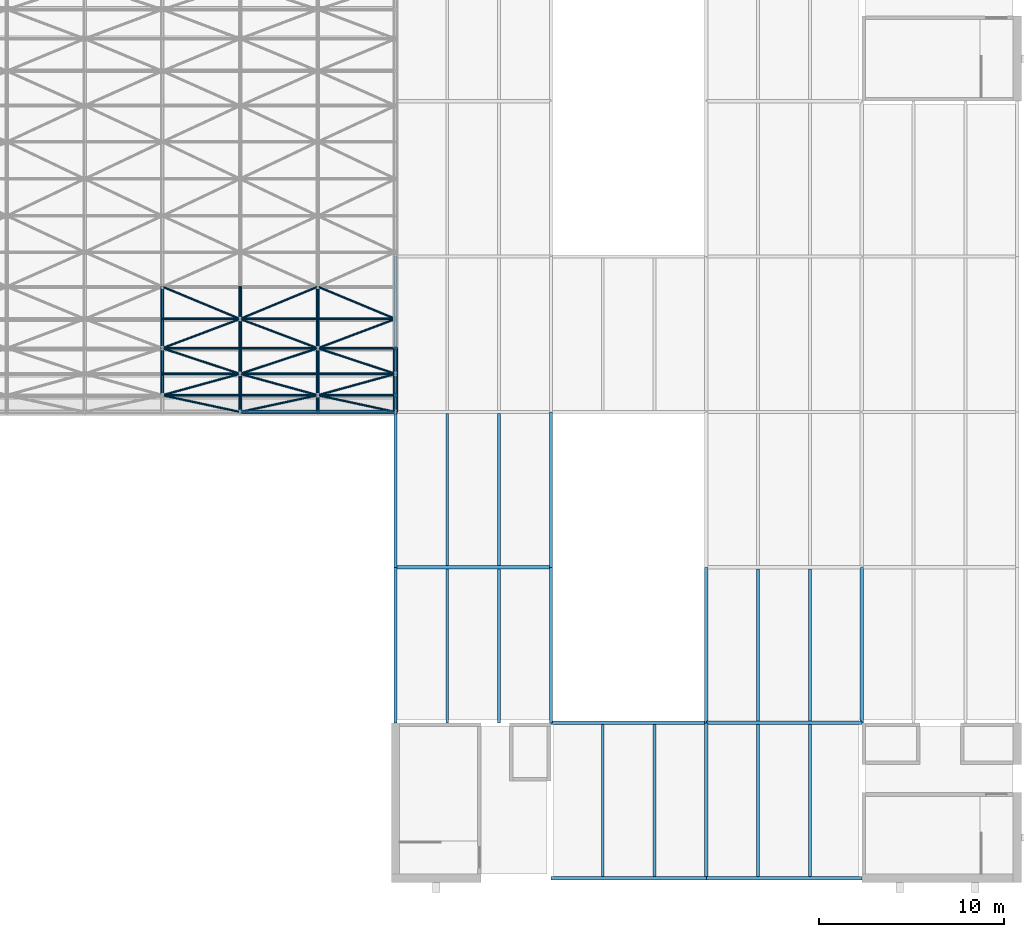
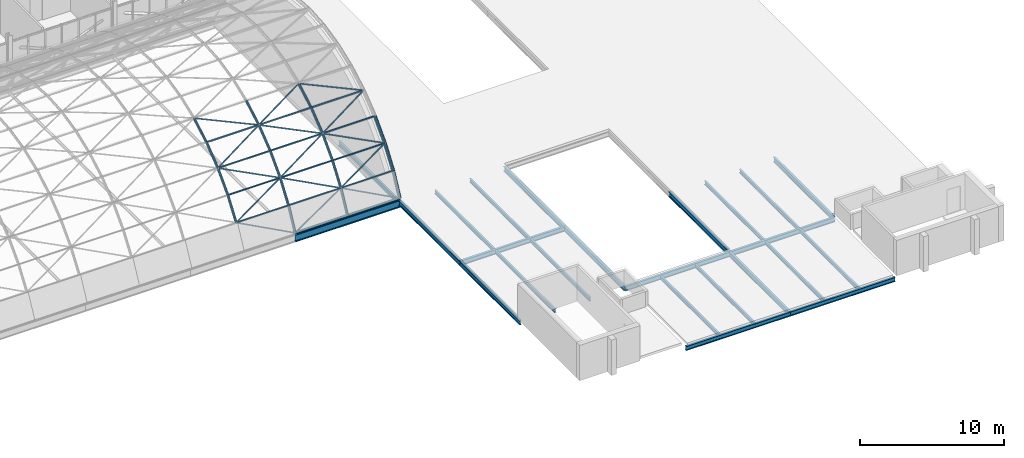
# One storey, part 50 of 121: 46 members, 24 beams.
"""IFC4 building model written with IfcOpenShell, lengths in metres."""

from ifc_helpers import new_model, si_unit, direction, frame, origin, origin_2d, place, context, subcontext, project, spatial, hollow_circle, i_section, extrude, material, material_profile, profile_set, type_object, element, save


model = new_model("IFC4")

# Units and contexts
model_context = context("Model", 3, precision=1e-05, world=origin(), true_north=direction((0.0, 1.0)))
body_context = subcontext(model_context, "Body", "Model", "MODEL_VIEW")
ifc_project = project(units=[si_unit("LENGTHUNIT", "METRE"), si_unit("AREAUNIT", "SQUARE_METRE"), si_unit("VOLUMEUNIT", "CUBIC_METRE"), si_unit("PLANEANGLEUNIT", "RADIAN"), si_unit("MASSUNIT", "GRAM", prefix="KILO")], contexts=[model_context])

# Site, building, storey
site_placement = place(None, origin())
site = spatial("IfcSite", under=ifc_project, at=site_placement, CompositionType="ELEMENT")
building_placement = place(site_placement, origin())
building = spatial("IfcBuilding", under=site, at=building_placement, Name="Ardhachandra Cancer Care Centre", CompositionType="ELEMENT")
storey_placement = place(building_placement, frame((0.0, 0.0, 9.0)))
storey = spatial("IfcBuildingStorey", under=building, at=storey_placement, Name="L02", CompositionType="ELEMENT", Elevation=9.0)

# Beams
ifc_material_1 = material(Name="Steel E350 (IS 2062)", Category="steel")
ifc_material_profile_1 = material_profile(ifc_material_1, i_section(OverallWidth=0.152099609375, OverallDepth=0.303955078125, WebThickness=0.008056640625, FlangeThickness=0.0126953125, FilletRadius=0.014892578125, at=origin_2d()), Name="NPB 300x150x49.32")
ifc_profile_set_1 = profile_set([ifc_material_profile_1], Name="Steel E350 (IS 2062)")
beam_type_1 = type_object("IfcBeamType", Name="Beam NPB 300x150x49.32", PredefinedType="BEAM", material=ifc_profile_set_1)
beam_1_placement = place(storey_placement, frame((114.39990234375, 37.800048828125, -0.35205078125), z_axis=(0.0, 1.0, 0.0), x_axis=(-1.0, 0.0, 0.0)))
element("IfcBeam", 1, at=beam_1_placement, inside=storey, type_object=beam_type_1, Name="Secondary D13-E13@2800", PredefinedType="BEAM", context=body_context, shape_type="SweptSolid", body=[
    extrude(i_section(OverallWidth=0.152099609375, OverallDepth=0.303955078125, WebThickness=0.008056640625, FlangeThickness=0.0126953125, FilletRadius=0.014892578125, at=origin_2d()), origin(), (0.0, 0.0, 1.0), 8.31005859375),
])
beam_2_placement = place(storey_placement, frame((114.39990234375, 46.2900390625, -0.35205078125), z_axis=(0.0, 1.0, 0.0), x_axis=(-1.0, 0.0, 0.0)))
element("IfcBeam", 2, at=beam_2_placement, inside=storey, type_object=beam_type_1, Name="Secondary E13-F13@2800", PredefinedType="BEAM", context=body_context, shape_type="SweptSolid", body=[
    extrude(i_section(OverallWidth=0.152099609375, OverallDepth=0.303955078125, WebThickness=0.008056640625, FlangeThickness=0.0126953125, FilletRadius=0.014892578125, at=origin_2d()), origin(), (0.0, 0.0, 1.0), 8.219970703125),
])
beam_3_placement = place(storey_placement, frame((117.199951171875, 37.800048828125, -0.35205078125), z_axis=(0.0, 1.0, 0.0), x_axis=(-1.0, 0.0, 0.0)))
element("IfcBeam", 3, at=beam_3_placement, inside=storey, type_object=beam_type_1, Name="Secondary D13-E13@5600", PredefinedType="BEAM", context=body_context, shape_type="SweptSolid", body=[
    extrude(i_section(OverallWidth=0.152099609375, OverallDepth=0.303955078125, WebThickness=0.008056640625, FlangeThickness=0.0126953125, FilletRadius=0.014892578125, at=origin_2d()), origin(), (0.0, 0.0, 1.0), 8.31005859375),
])
beam_4_placement = place(storey_placement, frame((117.199951171875, 46.2900390625, -0.35205078125), z_axis=(0.0, 1.0, 0.0), x_axis=(-1.0, 0.0, 0.0)))
element("IfcBeam", 4, at=beam_4_placement, inside=storey, type_object=beam_type_1, Name="Secondary E13-F13@5600", PredefinedType="BEAM", context=body_context, shape_type="SweptSolid", body=[
    extrude(i_section(OverallWidth=0.152099609375, OverallDepth=0.303955078125, WebThickness=0.008056640625, FlangeThickness=0.0126953125, FilletRadius=0.014892578125, at=origin_2d()), origin(), (0.0, 0.0, 1.0), 8.219970703125),
])
for number, where, z_axis, x_axis, name in (
    (5, (122.800048828125, 29.486083984375, -0.35205078125), (0.0, 1.0, 0.0), (-1.0, 0.0, 0.0), "Secondary C14-D14@2800"),
    (6, (125.60009765625, 29.486083984375, -0.35205078125), (0.0, 1.0, 0.0), (-1.0, 0.0, 0.0), "Secondary C14-D14@5600"),
    (7, (131.199951171875, 29.486083984375, -0.35205078125), (0.0, 1.0, 0.0), (-1.0, 0.0, 0.0), "Secondary C15-D15@2800"),
):
    element("IfcBeam", number, at=place(storey_placement, frame(where, z_axis=z_axis, x_axis=x_axis)), inside=storey, type_object=beam_type_1, Name=name, PredefinedType="BEAM", context=body_context, shape_type="SweptSolid", body=[
        extrude(i_section(OverallWidth=0.152099609375, OverallDepth=0.303955078125, WebThickness=0.008056640625, FlangeThickness=0.0126953125, FilletRadius=0.014892578125, at=origin_2d()), origin(), (0.0, 0.0, 1.0), 8.223876953125),
    ])
beam_5_placement = place(storey_placement, frame((131.199951171875, 37.889892578125, -0.35205078125), z_axis=(0.0, 1.0, 0.0), x_axis=(-1.0, 0.0, 0.0)))
element("IfcBeam", 8, at=beam_5_placement, inside=storey, type_object=beam_type_1, Name="Secondary D15-E15@2800", PredefinedType="BEAM", context=body_context, shape_type="SweptSolid", body=[
    extrude(i_section(OverallWidth=0.152099609375, OverallDepth=0.303955078125, WebThickness=0.008056640625, FlangeThickness=0.0126953125, FilletRadius=0.014892578125, at=origin_2d()), origin(), (0.0, 0.0, 1.0), 8.22021484375),
])
beam_6_placement = place(storey_placement, frame((134.0, 29.486083984375, -0.35205078125), z_axis=(0.0, 1.0, 0.0), x_axis=(-1.0, 0.0, 0.0)))
element("IfcBeam", 9, at=beam_6_placement, inside=storey, type_object=beam_type_1, Name="Secondary C15-D15@5600", PredefinedType="BEAM", context=body_context, shape_type="SweptSolid", body=[
    extrude(i_section(OverallWidth=0.152099609375, OverallDepth=0.303955078125, WebThickness=0.008056640625, FlangeThickness=0.0126953125, FilletRadius=0.014892578125, at=origin_2d()), origin(), (0.0, 0.0, 1.0), 8.223876953125),
])
beam_7_placement = place(storey_placement, frame((134.0, 37.889892578125, -0.35205078125), z_axis=(0.0, 1.0, 0.0), x_axis=(-1.0, 0.0, 0.0)))
element("IfcBeam", 10, at=beam_7_placement, inside=storey, type_object=beam_type_1, Name="Secondary D15-E15@5600", PredefinedType="BEAM", context=body_context, shape_type="SweptSolid", body=[
    extrude(i_section(OverallWidth=0.152099609375, OverallDepth=0.303955078125, WebThickness=0.008056640625, FlangeThickness=0.0126953125, FilletRadius=0.014892578125, at=origin_2d()), origin(), (0.0, 0.0, 1.0), 8.22021484375),
])
ifc_material_2 = material(Name="Steel E350 (IS 2062)", Category="steel")
ifc_material_profile_2 = material_profile(ifc_material_2, i_section(OverallWidth=0.172119140625, OverallDepth=0.364013671875, WebThickness=0.00927734375, FlangeThickness=0.0146484375, FilletRadius=0.01806640625, at=origin_2d()), Name="NPB 350x170x66.04")
ifc_profile_set_2 = profile_set([ifc_material_profile_2], Name="Steel E350 (IS 2062)")
beam_type_2 = type_object("IfcBeamType", Name="Beam NPB 350x170x66.04", PredefinedType="BEAM", material=ifc_profile_set_2)
beam_8_placement = place(storey_placement, frame((120.0, 29.39990234375, -0.382080078125), z_axis=(1.0, 0.0, 0.0), x_axis=(0.0, 1.0, 0.0)))
element("IfcBeam", 11, at=beam_8_placement, inside=storey, type_object=beam_type_2, Name="Edge girder C14-C15", PredefinedType="BEAM", context=body_context, shape_type="SweptSolid", body=[
    extrude(i_section(OverallWidth=0.172119140625, OverallDepth=0.364013671875, WebThickness=0.00927734375, FlangeThickness=0.0146484375, FilletRadius=0.01806640625, at=origin_2d()), origin(), (0.0, 0.0, 1.0), 8.39990234375),
])
beam_9_placement = place(storey_placement, frame((128.39990234375, 29.39990234375, -0.382080078125), z_axis=(1.0, 0.0, 0.0), x_axis=(0.0, 1.0, 0.0)))
element("IfcBeam", 12, at=beam_9_placement, inside=storey, type_object=beam_type_2, Name="Edge girder C15-C16", PredefinedType="BEAM", context=body_context, shape_type="SweptSolid", body=[
    extrude(i_section(OverallWidth=0.172119140625, OverallDepth=0.364013671875, WebThickness=0.00927734375, FlangeThickness=0.0146484375, FilletRadius=0.01806640625, at=origin_2d()), origin(), (0.0, 0.0, 1.0), 8.400146484375),
])
beam_10_placement = place(storey_placement, frame((111.60009765625, 37.800048828125, -0.382080078125), z_axis=(0.0, 1.0, 0.0), x_axis=(-1.0, 0.0, 0.0)))
element("IfcBeam", 13, at=beam_10_placement, inside=storey, type_object=beam_type_2, Name="Edge girder D13-E13", PredefinedType="BEAM", context=body_context, shape_type="SweptSolid", body=[
    extrude(i_section(OverallWidth=0.172119140625, OverallDepth=0.364013671875, WebThickness=0.00927734375, FlangeThickness=0.0146484375, FilletRadius=0.01806640625, at=origin_2d()), origin(), (0.0, 0.0, 1.0), 8.39990234375),
])
beam_11_placement = place(storey_placement, frame((111.60009765625, 46.199951171875, -0.382080078125), z_axis=(0.0, 1.0, 0.0), x_axis=(-1.0, 0.0, 0.0)))
element("IfcBeam", 14, at=beam_11_placement, inside=storey, type_object=beam_type_2, Name="Edge girder E13-F13", PredefinedType="BEAM", context=body_context, shape_type="SweptSolid", body=[
    extrude(i_section(OverallWidth=0.172119140625, OverallDepth=0.364013671875, WebThickness=0.00927734375, FlangeThickness=0.0146484375, FilletRadius=0.01806640625, at=origin_2d()), origin(), (0.0, 0.0, 1.0), 8.400146484375),
])
beam_12_placement = place(storey_placement, frame((111.60009765625, 54.60009765625, -0.382080078125), z_axis=(0.0, 1.0, 0.0), x_axis=(-1.0, 0.0, 0.0)))
element("IfcBeam", 15, at=beam_12_placement, inside=storey, type_object=beam_type_2, Name="Edge girder F13-G13", PredefinedType="BEAM", context=body_context, shape_type="SweptSolid", body=[
    extrude(i_section(OverallWidth=0.172119140625, OverallDepth=0.364013671875, WebThickness=0.00927734375, FlangeThickness=0.0146484375, FilletRadius=0.01806640625, at=origin_2d()), origin(), (0.0, 0.0, 1.0), 8.39990234375),
])
ifc_material_3 = material(Name="Steel E350 (IS 2062)", Category="steel")
ifc_material_profile_3 = material_profile(ifc_material_3, i_section(OverallWidth=0.179931640625, OverallDepth=0.39990234375, WebThickness=0.008544921875, FlangeThickness=0.013427734375, FilletRadius=0.02099609375, at=origin_2d()), Name="NPB 400x180x66.30")
ifc_profile_set_3 = profile_set([ifc_material_profile_3], Name="Steel E350 (IS 2062)")
beam_type_3 = type_object("IfcBeamType", Name="Beam NPB 400x180x66.30", PredefinedType="BEAM", material=ifc_profile_set_3)
beam_13_placement = place(storey_placement, frame((120.0, 37.800048828125, -0.39990234375), z_axis=(1.0, 0.0, 0.0), x_axis=(0.0, 1.0, 0.0)))
element("IfcBeam", 16, at=beam_13_placement, inside=storey, type_object=beam_type_3, Name="Girder D14-D15", PredefinedType="BEAM", context=body_context, shape_type="SweptSolid", body=[
    extrude(i_section(OverallWidth=0.179931640625, OverallDepth=0.39990234375, WebThickness=0.008544921875, FlangeThickness=0.013427734375, FilletRadius=0.02099609375, at=origin_2d()), origin(), (0.0, 0.0, 1.0), 8.39990234375),
])
beam_14_placement = place(storey_placement, frame((128.39990234375, 37.800048828125, -0.39990234375), z_axis=(1.0, 0.0, 0.0), x_axis=(0.0, 1.0, 0.0)))
element("IfcBeam", 17, at=beam_14_placement, inside=storey, type_object=beam_type_3, Name="Girder D15-D16", PredefinedType="BEAM", context=body_context, shape_type="SweptSolid", body=[
    extrude(i_section(OverallWidth=0.179931640625, OverallDepth=0.39990234375, WebThickness=0.008544921875, FlangeThickness=0.013427734375, FilletRadius=0.02099609375, at=origin_2d()), origin(), (0.0, 0.0, 1.0), 8.400146484375),
])
for number, where, z_axis, x_axis, name in (
    (18, (111.60009765625, 46.199951171875, -0.39990234375), (1.0, 0.0, 0.0), (0.0, 1.0, 0.0), "Girder E13-E14"),
    (19, (120.0, 37.800048828125, -0.39990234375), (0.0, 1.0, 0.0), (-1.0, 0.0, 0.0), "Girder D14-E14"),
):
    element("IfcBeam", number, at=place(storey_placement, frame(where, z_axis=z_axis, x_axis=x_axis)), inside=storey, type_object=beam_type_3, Name=name, PredefinedType="BEAM", context=body_context, shape_type="SweptSolid", body=[
        extrude(i_section(OverallWidth=0.179931640625, OverallDepth=0.39990234375, WebThickness=0.008544921875, FlangeThickness=0.013427734375, FilletRadius=0.02099609375, at=origin_2d()), origin(), (0.0, 0.0, 1.0), 8.39990234375),
    ])
for number, where, z_axis, x_axis, name in (
    (20, (120.0, 46.199951171875, -0.39990234375), (0.0, 1.0, 0.0), (-1.0, 0.0, 0.0), "Girder E14-F14"),
    (21, (128.39990234375, 29.39990234375, -0.39990234375), (0.0, 1.0, 0.0), (-1.0, 0.0, 0.0), "Girder C15-D15"),
):
    element("IfcBeam", number, at=place(storey_placement, frame(where, z_axis=z_axis, x_axis=x_axis)), inside=storey, type_object=beam_type_3, Name=name, PredefinedType="BEAM", context=body_context, shape_type="SweptSolid", body=[
        extrude(i_section(OverallWidth=0.179931640625, OverallDepth=0.39990234375, WebThickness=0.008544921875, FlangeThickness=0.013427734375, FilletRadius=0.02099609375, at=origin_2d()), origin(), (0.0, 0.0, 1.0), 8.400146484375),
    ])
for number, where, z_axis, x_axis, name in (
    (22, (128.39990234375, 37.800048828125, -0.39990234375), (0.0, 1.0, 0.0), (-1.0, 0.0, 0.0), "Girder D15-E15"),
    (23, (136.800048828125, 37.800048828125, -0.39990234375), (0.0, 1.0, 0.0), (-1.0, 0.0, 0.0), "Girder D16-E16"),
):
    element("IfcBeam", number, at=place(storey_placement, frame(where, z_axis=z_axis, x_axis=x_axis)), inside=storey, type_object=beam_type_3, Name=name, PredefinedType="BEAM", context=body_context, shape_type="SweptSolid", body=[
        extrude(i_section(OverallWidth=0.179931640625, OverallDepth=0.39990234375, WebThickness=0.008544921875, FlangeThickness=0.013427734375, FilletRadius=0.02099609375, at=origin_2d()), origin(), (0.0, 0.0, 1.0), 8.39990234375),
    ])
ifc_material_4 = material(Name="Steel E350 (IS 2062)", Category="steel")
ifc_material_profile_4 = material_profile(ifc_material_4, i_section(OverallWidth=0.22412109375, OverallDepth=0.610107421875, WebThickness=0.014892578125, FlangeThickness=0.02392578125, FilletRadius=0.02392578125, at=origin_2d()), Name="NPB 600x220x154.46")
ifc_profile_set_4 = profile_set([ifc_material_profile_4], Name="Steel E350 (IS 2062)")
beam_type_4 = type_object("IfcBeamType", Name="Beam NPB 600x220x154.46", PredefinedType="BEAM", material=ifc_profile_set_4)
beam_15_placement = place(storey_placement, frame((103.199951171875, 54.60009765625, -0.41455078125), z_axis=(1.0, 0.0, 0.0), x_axis=(0.0, 1.0, 0.0)))
element("IfcBeam", 24, at=beam_15_placement, inside=storey, type_object=beam_type_4, Name="Shell edge beam F12-F13", PredefinedType="BEAM", context=body_context, shape_type="SweptSolid", body=[
    extrude(i_section(OverallWidth=0.22412109375, OverallDepth=0.610107421875, WebThickness=0.014892578125, FlangeThickness=0.02392578125, FilletRadius=0.02392578125, at=origin_2d()), origin(), (0.0, 0.0, 1.0), 8.400146484375),
])

# Members
ifc_material_5 = material(Name="Steel E350 (IS 2062)", Category="steel")
ifc_material_profile_5 = material_profile(ifc_material_5, hollow_circle(Radius=0.05712890625, WallThickness=0.0048828125, at=origin_2d()), Name="CHS 114.3x5.0")
ifc_profile_set_5 = profile_set([ifc_material_profile_5], Name="Steel E350 (IS 2062)")
member_type_1 = type_object("IfcMemberType", Name="Hall shell Diagonal CHS 114.3x5.0", PredefinedType="BRACE", material=ifc_profile_set_5)
member_1_placement = place(storey_placement, frame((103.199951171875, 54.60009765625, 0.0), z_axis=(-0.902472740293, 0.1944174839, 0.384375851196), x_axis=(-0.210596178979, -0.977573142736, 0.0)))
element("IfcMember", 25, at=member_1_placement, inside=storey, type_object=member_type_1, Name="Hall shell diagonal 14-00", PredefinedType="BRACE", context=body_context, shape_type="SweptSolid", body=[
    extrude(hollow_circle(Radius=0.05712890625, WallThickness=0.0048828125, at=origin_2d()), origin(), (0.0, 0.0, 1.0), 4.65380859375),
])
member_2_placement = place(storey_placement, frame((99.0, 55.5048828125, 1.788818359375), z_axis=(0.902449554885, 0.24865493752, 0.351789031858), x_axis=(-0.265634476177, 0.964073817229, 0.0)))
element("IfcMember", 26, at=member_2_placement, inside=storey, type_object=member_type_1, Name="Hall shell diagonal 13-01", PredefinedType="BRACE", context=body_context, shape_type="SweptSolid", body=[
    extrude(hollow_circle(Radius=0.05712890625, WallThickness=0.0048828125, at=origin_2d()), origin(), (0.0, 0.0, 1.0), 4.654052734375),
])
for number, where, z_axis, x_axis, name in (
    (27, (103.199951171875, 56.662109375, 3.426025390625), (-0.902471180552, 0.297448793451, 0.311560561605), (-0.313029427027, -0.949743427361, 0.0), "Hall shell diagonal 14-02"),
    (28, (99.0, 58.04638671875, 4.8759765625), (0.902456632882, 0.339935998435, 0.264604502485), (-0.35250015529, 0.935811754853, 0.0), "Hall shell diagonal 13-03"),
    (29, (103.199951171875, 59.62841796875, 6.107421875), (-0.902467499795, 0.374983298758, 0.211990418338), (-0.383704226466, -0.923456044754, 0.0), "Hall shell diagonal 14-04"),
    (30, (103.199951171875, 54.60009765625, 0.0), (0.902472740293, 0.1944174839, 0.384375851196), (-0.210596178979, 0.977573142736, 0.0), "Hall shell diagonal 14-00"),
):
    element("IfcMember", number, at=place(storey_placement, frame(where, z_axis=z_axis, x_axis=x_axis)), inside=storey, type_object=member_type_1, Name=name, PredefinedType="BRACE", context=body_context, shape_type="SweptSolid", body=[
        extrude(hollow_circle(Radius=0.05712890625, WallThickness=0.0048828125, at=origin_2d()), origin(), (0.0, 0.0, 1.0), 4.65380859375),
    ])
member_3_placement = place(storey_placement, frame((107.39990234375, 55.5048828125, 1.788818359375), z_axis=(-0.902449554885, 0.24865493752, 0.351789031858), x_axis=(-0.265634476177, -0.964073817229, 0.0)))
element("IfcMember", 31, at=member_3_placement, inside=storey, type_object=member_type_1, Name="Hall shell diagonal 15-01", PredefinedType="BRACE", context=body_context, shape_type="SweptSolid", body=[
    extrude(hollow_circle(Radius=0.05712890625, WallThickness=0.0048828125, at=origin_2d()), origin(), (0.0, 0.0, 1.0), 4.654052734375),
])
for number, where, z_axis, x_axis, name in (
    (32, (103.199951171875, 56.662109375, 3.426025390625), (0.902471180552, 0.297448793451, 0.311560561605), (-0.313029427027, 0.949743427361, 0.0), "Hall shell diagonal 14-02"),
    (33, (107.39990234375, 58.04638671875, 4.8759765625), (-0.902456632882, 0.339935998435, 0.264604502485), (-0.35250015529, -0.935811754853, 0.0), "Hall shell diagonal 15-03"),
    (34, (103.199951171875, 59.62841796875, 6.107421875), (0.902467499795, 0.374983298758, 0.211990418338), (-0.383704226466, 0.923456044754, 0.0), "Hall shell diagonal 14-04"),
):
    element("IfcMember", number, at=place(storey_placement, frame(where, z_axis=z_axis, x_axis=x_axis)), inside=storey, type_object=member_type_1, Name=name, PredefinedType="BRACE", context=body_context, shape_type="SweptSolid", body=[
        extrude(hollow_circle(Radius=0.05712890625, WallThickness=0.0048828125, at=origin_2d()), origin(), (0.0, 0.0, 1.0), 4.65380859375),
    ])
for number, where, z_axis, x_axis, name in (
    (35, (111.60009765625, 54.60009765625, 0.0), (-0.902482473221, 0.194408279805, 0.384357654109), (-0.21058448072, -0.97757566279, 0.0), "Hall shell diagonal 16-00"),
    (36, (107.39990234375, 55.5048828125, 1.788818359375), (0.902459289758, 0.248643166325, 0.351772378349), (-0.265620125306, 0.964077771257, 0.0), "Hall shell diagonal 15-01"),
    (37, (111.60009765625, 56.662109375, 3.426025390625), (-0.902480913611, 0.297434711705, 0.311545811784), (-0.313013014629, -0.949748836626, 0.0), "Hall shell diagonal 16-02"),
    (38, (107.39990234375, 58.04638671875, 4.8759765625), (0.902466367162, 0.33991990579, 0.26459197605), (-0.352482211607, 0.935818513656, 0.0), "Hall shell diagonal 15-03"),
    (39, (111.60009765625, 59.62841796875, 6.107421875), (-0.902477233163, 0.374965546538, 0.211980382423), (-0.3836852067, -0.923463947407, 0.0), "Hall shell diagonal 16-04"),
):
    element("IfcMember", number, at=place(storey_placement, frame(where, z_axis=z_axis, x_axis=x_axis)), inside=storey, type_object=member_type_1, Name=name, PredefinedType="BRACE", context=body_context, shape_type="SweptSolid", body=[
        extrude(hollow_circle(Radius=0.05712890625, WallThickness=0.0048828125, at=origin_2d()), origin(), (0.0, 0.0, 1.0), 4.654052734375),
    ])
ifc_material_6 = material(Name="Steel E350 (IS 2062)", Category="steel")
ifc_material_profile_6 = material_profile(ifc_material_6, hollow_circle(Radius=0.06982421875, WallThickness=0.0048828125, at=origin_2d()), Name="CHS 139.7x5.0")
ifc_profile_set_6 = profile_set([ifc_material_profile_6], Name="Steel E350 (IS 2062)")
member_type_2 = type_object("IfcMemberType", Name="Hall shell Purlin CHS 139.7x5.0", PredefinedType="PURLIN", material=ifc_profile_set_6)
for number, where, z_axis, x_axis, name in (
    (40, (99.0, 55.5048828125, 1.788818359375), (1.0, 0.0, 0.0), (0.0, 1.0, 0.0), "Hall shell purlin 13-01"),
    (41, (103.199951171875, 55.5048828125, 1.788818359375), (1.0, 0.0, 0.0), (0.0, 1.0, 0.0), "Hall shell purlin 14-01"),
):
    element("IfcMember", number, at=place(storey_placement, frame(where, z_axis=z_axis, x_axis=x_axis)), inside=storey, type_object=member_type_2, Name=name, PredefinedType="PURLIN", context=body_context, shape_type="SweptSolid", body=[
        extrude(hollow_circle(Radius=0.06982421875, WallThickness=0.0048828125, at=origin_2d()), origin(), (0.0, 0.0, 1.0), 4.199951171875),
    ])
member_4_placement = place(storey_placement, frame((107.39990234375, 55.5048828125, 1.788818359375), z_axis=(1.0, 0.0, 0.0), x_axis=(0.0, 1.0, 0.0)))
element("IfcMember", 42, at=member_4_placement, inside=storey, type_object=member_type_2, Name="Hall shell purlin 15-01", PredefinedType="PURLIN", context=body_context, shape_type="SweptSolid", body=[
    extrude(hollow_circle(Radius=0.06982421875, WallThickness=0.0048828125, at=origin_2d()), origin(), (0.0, 0.0, 1.0), 4.2001953125),
])
for number, where, z_axis, x_axis, name in (
    (43, (99.0, 56.662109375, 3.426025390625), (1.0, 0.0, 0.0), (0.0, 1.0, 0.0), "Hall shell purlin 13-02"),
    (44, (103.199951171875, 56.662109375, 3.426025390625), (1.0, 0.0, 0.0), (0.0, 1.0, 0.0), "Hall shell purlin 14-02"),
):
    element("IfcMember", number, at=place(storey_placement, frame(where, z_axis=z_axis, x_axis=x_axis)), inside=storey, type_object=member_type_2, Name=name, PredefinedType="PURLIN", context=body_context, shape_type="SweptSolid", body=[
        extrude(hollow_circle(Radius=0.06982421875, WallThickness=0.0048828125, at=origin_2d()), origin(), (0.0, 0.0, 1.0), 4.199951171875),
    ])
member_5_placement = place(storey_placement, frame((107.39990234375, 56.662109375, 3.426025390625), z_axis=(1.0, 0.0, 0.0), x_axis=(0.0, 1.0, 0.0)))
element("IfcMember", 45, at=member_5_placement, inside=storey, type_object=member_type_2, Name="Hall shell purlin 15-02", PredefinedType="PURLIN", context=body_context, shape_type="SweptSolid", body=[
    extrude(hollow_circle(Radius=0.06982421875, WallThickness=0.0048828125, at=origin_2d()), origin(), (0.0, 0.0, 1.0), 4.2001953125),
])
for number, where, z_axis, x_axis, name in (
    (46, (99.0, 58.04638671875, 4.8759765625), (1.0, 0.0, 0.0), (0.0, 1.0, 0.0), "Hall shell purlin 13-03"),
    (47, (103.199951171875, 58.04638671875, 4.8759765625), (1.0, 0.0, 0.0), (0.0, 1.0, 0.0), "Hall shell purlin 14-03"),
):
    element("IfcMember", number, at=place(storey_placement, frame(where, z_axis=z_axis, x_axis=x_axis)), inside=storey, type_object=member_type_2, Name=name, PredefinedType="PURLIN", context=body_context, shape_type="SweptSolid", body=[
        extrude(hollow_circle(Radius=0.06982421875, WallThickness=0.0048828125, at=origin_2d()), origin(), (0.0, 0.0, 1.0), 4.199951171875),
    ])
member_6_placement = place(storey_placement, frame((107.39990234375, 58.04638671875, 4.8759765625), z_axis=(1.0, 0.0, 0.0), x_axis=(0.0, 1.0, 0.0)))
element("IfcMember", 48, at=member_6_placement, inside=storey, type_object=member_type_2, Name="Hall shell purlin 15-03", PredefinedType="PURLIN", context=body_context, shape_type="SweptSolid", body=[
    extrude(hollow_circle(Radius=0.06982421875, WallThickness=0.0048828125, at=origin_2d()), origin(), (0.0, 0.0, 1.0), 4.2001953125),
])
for number, where, z_axis, x_axis, name in (
    (49, (99.0, 59.62841796875, 6.107421875), (1.0, 0.0, 0.0), (0.0, 1.0, 0.0), "Hall shell purlin 13-04"),
    (50, (103.199951171875, 59.62841796875, 6.107421875), (1.0, 0.0, 0.0), (0.0, 1.0, 0.0), "Hall shell purlin 14-04"),
):
    element("IfcMember", number, at=place(storey_placement, frame(where, z_axis=z_axis, x_axis=x_axis)), inside=storey, type_object=member_type_2, Name=name, PredefinedType="PURLIN", context=body_context, shape_type="SweptSolid", body=[
        extrude(hollow_circle(Radius=0.06982421875, WallThickness=0.0048828125, at=origin_2d()), origin(), (0.0, 0.0, 1.0), 4.199951171875),
    ])
member_7_placement = place(storey_placement, frame((107.39990234375, 59.62841796875, 6.107421875), z_axis=(1.0, 0.0, 0.0), x_axis=(0.0, 1.0, 0.0)))
element("IfcMember", 51, at=member_7_placement, inside=storey, type_object=member_type_2, Name="Hall shell purlin 15-04", PredefinedType="PURLIN", context=body_context, shape_type="SweptSolid", body=[
    extrude(hollow_circle(Radius=0.06982421875, WallThickness=0.0048828125, at=origin_2d()), origin(), (0.0, 0.0, 1.0), 4.2001953125),
])
ifc_material_7 = material(Name="Steel E350 (IS 2062)", Category="steel")
ifc_material_profile_7 = material_profile(ifc_material_7, hollow_circle(Radius=0.109619140625, WallThickness=0.008056640625, at=origin_2d()), Name="CHS 219.1x8.0")
ifc_profile_set_7 = profile_set([ifc_material_profile_7], Name="Steel E350 (IS 2062)")
member_type_3 = type_object("IfcMemberType", Name="Hall shell Purlin CHS 219.1x8.0", PredefinedType="PURLIN", material=ifc_profile_set_7)
member_8_placement = place(storey_placement, frame((103.199951171875, 54.60009765625, 0.0), z_axis=(1.0, 0.0, 0.0), x_axis=(0.0, 1.0, 0.0)))
element("IfcMember", 52, at=member_8_placement, inside=storey, type_object=member_type_3, Name="Hall shell purlin 14-00", PredefinedType="PURLIN", context=body_context, shape_type="SweptSolid", body=[
    extrude(hollow_circle(Radius=0.109619140625, WallThickness=0.008056640625, at=origin_2d()), origin(), (0.0, 0.0, 1.0), 4.199951171875),
])
member_9_placement = place(storey_placement, frame((107.39990234375, 54.60009765625, 0.0), z_axis=(1.0, 0.0, 0.0), x_axis=(0.0, 1.0, 0.0)))
element("IfcMember", 53, at=member_9_placement, inside=storey, type_object=member_type_3, Name="Hall shell purlin 15-00", PredefinedType="PURLIN", context=body_context, shape_type="SweptSolid", body=[
    extrude(hollow_circle(Radius=0.109619140625, WallThickness=0.008056640625, at=origin_2d()), origin(), (0.0, 0.0, 1.0), 4.2001953125),
])
ifc_material_8 = material(Name="Steel E350 (IS 2062)", Category="steel")
ifc_material_profile_8 = material_profile(ifc_material_8, hollow_circle(Radius=0.096923828125, WallThickness=0.008056640625, at=origin_2d()), Name="CHS 193.7x8.0")
ifc_profile_set_8 = profile_set([ifc_material_profile_8], Name="Steel E350 (IS 2062)")
member_type_4 = type_object("IfcMemberType", Name="Hall shell Rib CHS 193.7x8.0", PredefinedType="RAFTER", material=ifc_profile_set_8)
member_10_placement = place(storey_placement, frame((99.0, 55.5048828125, 1.788818359375), z_axis=(0.0, 0.577199418325, 0.816603227697), x_axis=(-1.0, 0.0, 0.0)))
element("IfcMember", 54, at=member_10_placement, inside=storey, type_object=member_type_4, Name="Hall shell rib 13-01", PredefinedType="RAFTER", context=body_context, shape_type="SweptSolid", body=[
    extrude(hollow_circle(Radius=0.096923828125, WallThickness=0.008056640625, at=origin_2d()), origin(), (0.0, 0.0, 1.0), 2.0048828125),
])
member_11_placement = place(storey_placement, frame((99.0, 56.662109375, 3.426025390625), z_axis=(0.0, 0.690536572288, 0.723297478451), x_axis=(-1.0, 0.0, 0.0)))
element("IfcMember", 55, at=member_11_placement, inside=storey, type_object=member_type_4, Name="Hall shell rib 13-02", PredefinedType="RAFTER", context=body_context, shape_type="SweptSolid", body=[
    extrude(hollow_circle(Radius=0.096923828125, WallThickness=0.008056640625, at=origin_2d()), origin(), (0.0, 0.0, 1.0), 2.004638671875),
])
member_12_placement = place(storey_placement, frame((99.0, 58.04638671875, 4.8759765625), z_axis=(0.0, 0.789116098656, 0.614244074324), x_axis=(-1.0, 0.0, 0.0)))
element("IfcMember", 56, at=member_12_placement, inside=storey, type_object=member_type_4, Name="Hall shell rib 13-03", PredefinedType="RAFTER", context=body_context, shape_type="SweptSolid", body=[
    extrude(hollow_circle(Radius=0.096923828125, WallThickness=0.008056640625, at=origin_2d()), origin(), (0.0, 0.0, 1.0), 2.0048828125),
])
for number, where, z_axis, x_axis, name in (
    (57, (99.0, 59.62841796875, 6.107421875), (0.0, 0.870519739515, 0.492133501312), (-1.0, 0.0, 0.0), "Hall shell rib 13-04"),
    (58, (103.199951171875, 54.60009765625, 0.0), (0.0, 0.451349625156, 0.89234719469), (-1.0, 0.0, 0.0), "Hall shell rib 14-00"),
):
    element("IfcMember", number, at=place(storey_placement, frame(where, z_axis=z_axis, x_axis=x_axis)), inside=storey, type_object=member_type_4, Name=name, PredefinedType="RAFTER", context=body_context, shape_type="SweptSolid", body=[
        extrude(hollow_circle(Radius=0.096923828125, WallThickness=0.008056640625, at=origin_2d()), origin(), (0.0, 0.0, 1.0), 2.004638671875),
    ])
member_13_placement = place(storey_placement, frame((103.199951171875, 55.5048828125, 1.788818359375), z_axis=(0.0, 0.577199418325, 0.816603227697), x_axis=(-1.0, 0.0, 0.0)))
element("IfcMember", 59, at=member_13_placement, inside=storey, type_object=member_type_4, Name="Hall shell rib 14-01", PredefinedType="RAFTER", context=body_context, shape_type="SweptSolid", body=[
    extrude(hollow_circle(Radius=0.096923828125, WallThickness=0.008056640625, at=origin_2d()), origin(), (0.0, 0.0, 1.0), 2.0048828125),
])
member_14_placement = place(storey_placement, frame((103.199951171875, 56.662109375, 3.426025390625), z_axis=(0.0, 0.690536572288, 0.723297478451), x_axis=(-1.0, 0.0, 0.0)))
element("IfcMember", 60, at=member_14_placement, inside=storey, type_object=member_type_4, Name="Hall shell rib 14-02", PredefinedType="RAFTER", context=body_context, shape_type="SweptSolid", body=[
    extrude(hollow_circle(Radius=0.096923828125, WallThickness=0.008056640625, at=origin_2d()), origin(), (0.0, 0.0, 1.0), 2.004638671875),
])
member_15_placement = place(storey_placement, frame((103.199951171875, 58.04638671875, 4.8759765625), z_axis=(0.0, 0.789116098656, 0.614244074324), x_axis=(-1.0, 0.0, 0.0)))
element("IfcMember", 61, at=member_15_placement, inside=storey, type_object=member_type_4, Name="Hall shell rib 14-03", PredefinedType="RAFTER", context=body_context, shape_type="SweptSolid", body=[
    extrude(hollow_circle(Radius=0.096923828125, WallThickness=0.008056640625, at=origin_2d()), origin(), (0.0, 0.0, 1.0), 2.0048828125),
])
for number, where, z_axis, x_axis, name in (
    (62, (103.199951171875, 59.62841796875, 6.107421875), (0.0, 0.870519739515, 0.492133501312), (-1.0, 0.0, 0.0), "Hall shell rib 14-04"),
    (63, (107.39990234375, 54.60009765625, 0.0), (0.0, 0.451349625156, 0.89234719469), (-1.0, 0.0, 0.0), "Hall shell rib 15-00"),
):
    element("IfcMember", number, at=place(storey_placement, frame(where, z_axis=z_axis, x_axis=x_axis)), inside=storey, type_object=member_type_4, Name=name, PredefinedType="RAFTER", context=body_context, shape_type="SweptSolid", body=[
        extrude(hollow_circle(Radius=0.096923828125, WallThickness=0.008056640625, at=origin_2d()), origin(), (0.0, 0.0, 1.0), 2.004638671875),
    ])
member_16_placement = place(storey_placement, frame((107.39990234375, 55.5048828125, 1.788818359375), z_axis=(0.0, 0.577199418325, 0.816603227697), x_axis=(-1.0, 0.0, 0.0)))
element("IfcMember", 64, at=member_16_placement, inside=storey, type_object=member_type_4, Name="Hall shell rib 15-01", PredefinedType="RAFTER", context=body_context, shape_type="SweptSolid", body=[
    extrude(hollow_circle(Radius=0.096923828125, WallThickness=0.008056640625, at=origin_2d()), origin(), (0.0, 0.0, 1.0), 2.0048828125),
])
member_17_placement = place(storey_placement, frame((107.39990234375, 56.662109375, 3.426025390625), z_axis=(0.0, 0.690536572288, 0.723297478451), x_axis=(-1.0, 0.0, 0.0)))
element("IfcMember", 65, at=member_17_placement, inside=storey, type_object=member_type_4, Name="Hall shell rib 15-02", PredefinedType="RAFTER", context=body_context, shape_type="SweptSolid", body=[
    extrude(hollow_circle(Radius=0.096923828125, WallThickness=0.008056640625, at=origin_2d()), origin(), (0.0, 0.0, 1.0), 2.004638671875),
])
member_18_placement = place(storey_placement, frame((107.39990234375, 58.04638671875, 4.8759765625), z_axis=(0.0, 0.789116098656, 0.614244074324), x_axis=(-1.0, 0.0, 0.0)))
element("IfcMember", 66, at=member_18_placement, inside=storey, type_object=member_type_4, Name="Hall shell rib 15-03", PredefinedType="RAFTER", context=body_context, shape_type="SweptSolid", body=[
    extrude(hollow_circle(Radius=0.096923828125, WallThickness=0.008056640625, at=origin_2d()), origin(), (0.0, 0.0, 1.0), 2.0048828125),
])
member_19_placement = place(storey_placement, frame((107.39990234375, 59.62841796875, 6.107421875), z_axis=(0.0, 0.870519739515, 0.492133501312), x_axis=(-1.0, 0.0, 0.0)))
element("IfcMember", 67, at=member_19_placement, inside=storey, type_object=member_type_4, Name="Hall shell rib 15-04", PredefinedType="RAFTER", context=body_context, shape_type="SweptSolid", body=[
    extrude(hollow_circle(Radius=0.096923828125, WallThickness=0.008056640625, at=origin_2d()), origin(), (0.0, 0.0, 1.0), 2.004638671875),
])
ifc_material_9 = material(Name="Steel E350 (IS 2062)", Category="steel")
ifc_material_profile_9 = material_profile(ifc_material_9, hollow_circle(Radius=0.122314453125, WallThickness=0.010009765625, at=origin_2d()), Name="CHS 244.5x10.0")
ifc_profile_set_9 = profile_set([ifc_material_profile_9], Name="Steel E350 (IS 2062)")
member_type_5 = type_object("IfcMemberType", Name="Hall shell Rib CHS 244.5x10.0", PredefinedType="RAFTER", material=ifc_profile_set_9)
member_20_placement = place(storey_placement, frame((111.60009765625, 54.60009765625, 0.0), z_axis=(0.0, 0.451349625156, 0.89234719469), x_axis=(-1.0, 0.0, 0.0)))
element("IfcMember", 68, at=member_20_placement, inside=storey, type_object=member_type_5, Name="Hall shell rib 16-00", PredefinedType="RAFTER", context=body_context, shape_type="SweptSolid", body=[
    extrude(hollow_circle(Radius=0.122314453125, WallThickness=0.010009765625, at=origin_2d()), origin(), (0.0, 0.0, 1.0), 2.004638671875),
])
member_21_placement = place(storey_placement, frame((111.60009765625, 55.5048828125, 1.788818359375), z_axis=(0.0, 0.577199418325, 0.816603227697), x_axis=(-1.0, 0.0, 0.0)))
element("IfcMember", 69, at=member_21_placement, inside=storey, type_object=member_type_5, Name="Hall shell rib 16-01", PredefinedType="RAFTER", context=body_context, shape_type="SweptSolid", body=[
    extrude(hollow_circle(Radius=0.122314453125, WallThickness=0.010009765625, at=origin_2d()), origin(), (0.0, 0.0, 1.0), 2.0048828125),
])
member_22_placement = place(storey_placement, frame((111.60009765625, 56.662109375, 3.426025390625), z_axis=(0.0, 0.690536572288, 0.723297478451), x_axis=(-1.0, 0.0, 0.0)))
element("IfcMember", 70, at=member_22_placement, inside=storey, type_object=member_type_5, Name="Hall shell rib 16-02", PredefinedType="RAFTER", context=body_context, shape_type="SweptSolid", body=[
    extrude(hollow_circle(Radius=0.122314453125, WallThickness=0.010009765625, at=origin_2d()), origin(), (0.0, 0.0, 1.0), 2.004638671875),
])

save(model, "model.ifc")
